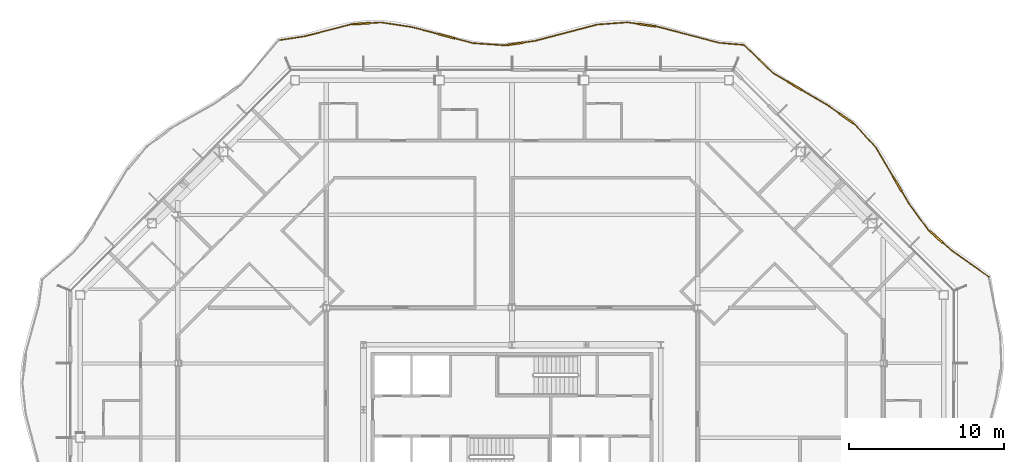
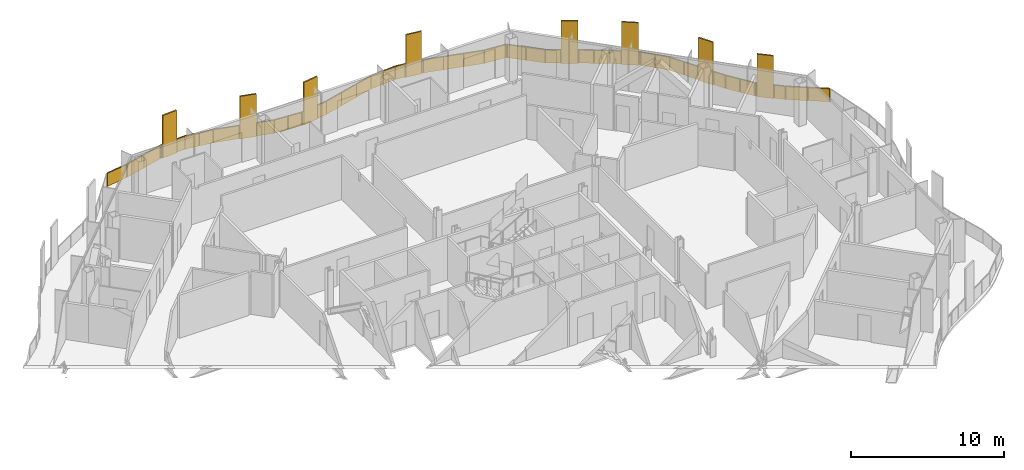
# One storey, part 21 of 21: 2 railings.
"""IFC4 building model written with IfcOpenShell, lengths in metres."""

from ifc_helpers import new_model, si_unit, direction, frame, origin, origin_2d, place, context, subcontext, project, spatial, polyline, rectangle, outline, extrude, material, type_object, element, save


model = new_model("IFC4")

# Units and contexts
model_context = context("Model", 3, precision=1e-05, world=origin(), true_north=direction((0.0, 1.0)))
body_context = subcontext(model_context, "Body", "Model", "MODEL_VIEW")
ifc_project = project(units=[si_unit("LENGTHUNIT", "METRE"), si_unit("AREAUNIT", "SQUARE_METRE"), si_unit("VOLUMEUNIT", "CUBIC_METRE"), si_unit("PLANEANGLEUNIT", "RADIAN"), si_unit("MASSUNIT", "GRAM", prefix="KILO")], contexts=[model_context])

# Site, building, storey
site_placement = place(None, origin())
site = spatial("IfcSite", under=ifc_project, at=site_placement, CompositionType="ELEMENT")
building_placement = place(site_placement, origin())
building = spatial("IfcBuilding", under=site, at=building_placement, Name="Cairn Pilgrim Tower", CompositionType="ELEMENT")
storey_placement = place(building_placement, frame((0.0, 0.0, 168.60009765625)))
storey = spatial("IfcBuildingStorey", under=building, at=storey_placement, Name="L42", CompositionType="ELEMENT", Elevation=168.60009765625)

# Railings
ifc_material = material(Name="Bronze anodised aluminium rail, posts and fin screens with laminated glass infill", Category="aluminium")
railing_type = type_object("IfcRailingType", Name="BALCONY GUARD WITH FIN SCREENS", PredefinedType="GUARDRAIL", material=ifc_material)
railing_1_placement = place(storey_placement, frame((38.007080078125, 15.199951171875, 0.0)))
element("IfcRailing", 1, at=railing_1_placement, inside=storey, type_object=railing_type, Name="Balcony guard BGF-4 with fin screens", PredefinedType="GUARDRAIL", context=body_context, shape_type="SweptSolid", body=[
    extrude(rectangle(XDim=0.050048828125, YDim=0.050048828125, at=origin_2d()), frame((0.0, 0.0, 1.0751953125), z_axis=(-0.816126546783, 0.577873221075, 0.0), x_axis=(-0.577873221075, -0.816126546783, 0.0)), (0.0, 0.0, 1.0), 2.914306640625),
    extrude(rectangle(XDim=1.10009765625, YDim=0.110107421875, at=origin_2d()), frame((-3.404052734375, 2.584716796875, 0.0), z_axis=(0.0, 0.0, 1.0), x_axis=(-0.751381601179, 0.659867933309, 0.0)), (0.0, 0.0, 1.0), 3.39990234375),
    extrude(rectangle(XDim=0.050048828125, YDim=0.050048828125, at=origin_2d()), frame((-2.37841796875, 1.68408203125, 1.0751953125), z_axis=(-0.751381601179, 0.659867933309, 0.0), x_axis=(-0.659867933309, -0.751381601179, 0.0)), (0.0, 0.0, 1.0), 0.81494140625),
    extrude(rectangle(XDim=0.050048828125, YDim=0.050048828125, at=origin_2d()), frame((-3.817138671875, 2.94775390625, 1.0751953125), z_axis=(-0.751381601179, 0.659867933309, 0.0), x_axis=(-0.659867933309, -0.751381601179, 0.0)), (0.0, 0.0, 1.0), 0.14990234375),
    extrude(rectangle(XDim=0.050048828125, YDim=0.050048828125, at=origin_2d()), frame((-3.929931640625, 3.046630859375, 1.0751953125), z_axis=(-0.590307215064, 0.807178661662, 0.0), x_axis=(-0.807178661662, -0.590307215064, 0.0)), (0.0, 0.0, 1.0), 2.0849609375),
    extrude(rectangle(XDim=1.10009765625, YDim=0.110107421875, at=origin_2d()), frame((-5.910888671875, 6.00341796875, 0.0), z_axis=(0.0, 0.0, 1.0), x_axis=(-0.50739866835, 0.861711431604, 0.0)), (0.0, 0.0, 1.0), 3.39990234375),
    extrude(rectangle(XDim=0.050048828125, YDim=0.050048828125, at=origin_2d()), frame((-5.16064453125, 4.7294921875, 1.0751953125), z_axis=(-0.50739866835, 0.861711431604, 0.0), x_axis=(-0.861711431604, -0.50739866835, 0.0)), (0.0, 0.0, 1.0), 0.928466796875),
    extrude(rectangle(XDim=0.050048828125, YDim=0.050048828125, at=origin_2d()), frame((-6.18994140625, 6.4775390625, 1.0751953125), z_axis=(-0.50739866835, 0.861711431604, 0.0), x_axis=(-0.861711431604, -0.50739866835, 0.0)), (0.0, 0.0, 1.0), 2.170654296875),
    extrude(rectangle(XDim=0.050048828125, YDim=0.050048828125, at=origin_2d()), frame((-7.291259765625, 8.347900390625, 1.0751953125), z_axis=(-0.671849079012, 0.740688068643, 0.0), x_axis=(-0.740688068643, -0.671849079012, 0.0)), (0.0, 0.0, 1.0), 2.00732421875),
    extrude(rectangle(XDim=1.10009765625, YDim=0.110107421875, at=origin_2d()), frame((-9.210205078125, 10.240478515625, 0.0), z_axis=(0.0, 0.0, 1.0), x_axis=(-0.814862491969, 0.579654310069, 0.0)), (0.0, 0.0, 1.0), 3.39990234375),
    extrude(rectangle(XDim=0.050048828125, YDim=0.050048828125, at=origin_2d()), frame((-8.639892578125, 9.834716796875, 1.0751953125), z_axis=(-0.814862491969, 0.579654310069, 0.0), x_axis=(-0.579654310069, -0.814862491969, 0.0)), (0.0, 0.0, 1.0), 0.14990234375),
    extrude(rectangle(XDim=0.050048828125, YDim=0.050048828125, at=origin_2d()), frame((-9.658447265625, 10.559326171875, 1.0751953125), z_axis=(-0.814862491969, 0.579654310069, 0.0), x_axis=(-0.579654310069, -0.814862491969, 0.0)), (0.0, 0.0, 1.0), 0.792724609375),
    extrude(rectangle(XDim=1.10009765625, YDim=0.110107421875, at=origin_2d()), frame((-12.558837890625, 12.35595703125, 0.0), z_axis=(0.0, 0.0, 1.0), x_axis=(-0.860093858428, 0.51013581985, 0.0)), (0.0, 0.0, 1.0), 3.39990234375),
    extrude(rectangle(XDim=0.050048828125, YDim=0.050048828125, at=origin_2d()), frame((-10.304443359375, 11.018798828125, 1.0751953125), z_axis=(-0.860093858428, 0.51013581985, 0.0), x_axis=(-0.51013581985, -0.860093858428, 0.0)), (0.0, 0.0, 1.0), 2.071044921875),
    extrude(rectangle(XDim=0.050048828125, YDim=0.050048828125, at=origin_2d()), frame((-13.03173828125, 12.636474609375, 1.0751953125), z_axis=(-0.860093858428, 0.51013581985, 0.0), x_axis=(-0.51013581985, -0.860093858428, 0.0)), (0.0, 0.0, 1.0), 1.04345703125),
    extrude(rectangle(XDim=0.050048828125, YDim=0.050048828125, at=origin_2d()), frame((-13.92919921875, 13.168701171875, 1.0751953125), z_axis=(-0.724381372371, 0.689399468641, 0.0), x_axis=(-0.689399468641, -0.724381372371, 0.0)), (0.0, 0.0, 1.0), 2.5751953125),
    extrude(rectangle(XDim=0.050048828125, YDim=0.050048828125, at=origin_2d()), origin(), (0.0, 0.0, 1.0), 1.050048828125),
    extrude(rectangle(XDim=0.050048828125, YDim=0.050048828125, at=origin_2d()), frame((-1.189208984375, 0.842041015625, 0.0)), (0.0, 0.0, 1.0), 1.050048828125),
    extrude(rectangle(XDim=0.050048828125, YDim=0.050048828125, at=origin_2d()), frame((-2.37841796875, 1.68408203125, 0.0)), (0.0, 0.0, 1.0), 1.050048828125),
    extrude(rectangle(XDim=0.050048828125, YDim=0.050048828125, at=origin_2d()), frame((-2.971923828125, 2.205322265625, 0.0)), (0.0, 0.0, 1.0), 1.050048828125),
    extrude(rectangle(XDim=0.050048828125, YDim=0.050048828125, at=origin_2d()), frame((-3.8359375, 2.964111328125, 0.0)), (0.0, 0.0, 1.0), 1.050048828125),
    extrude(rectangle(XDim=0.050048828125, YDim=0.050048828125, at=origin_2d()), frame((-3.929931640625, 3.046630859375, 0.0)), (0.0, 0.0, 1.0), 1.050048828125),
    extrude(rectangle(XDim=0.050048828125, YDim=0.050048828125, at=origin_2d()), frame((-4.54541015625, 3.88818359375, 0.0)), (0.0, 0.0, 1.0), 1.050048828125),
    extrude(rectangle(XDim=0.050048828125, YDim=0.050048828125, at=origin_2d()), frame((-5.16064453125, 4.7294921875, 0.0)), (0.0, 0.0, 1.0), 1.050048828125),
    extrude(rectangle(XDim=0.050048828125, YDim=0.050048828125, at=origin_2d()), frame((-5.619140625, 5.508056640625, 0.0)), (0.0, 0.0, 1.0), 1.050048828125),
    extrude(rectangle(XDim=0.050048828125, YDim=0.050048828125, at=origin_2d()), frame((-6.20263671875, 6.4990234375, 0.0)), (0.0, 0.0, 1.0), 1.050048828125),
    extrude(rectangle(XDim=0.050048828125, YDim=0.050048828125, at=origin_2d()), frame((-6.746826171875, 7.42333984375, 0.0)), (0.0, 0.0, 1.0), 1.050048828125),
    extrude(rectangle(XDim=0.050048828125, YDim=0.050048828125, at=origin_2d()), frame((-7.291259765625, 8.347900390625, 0.0)), (0.0, 0.0, 1.0), 1.050048828125),
    extrude(rectangle(XDim=0.050048828125, YDim=0.050048828125, at=origin_2d()), frame((-7.965576171875, 9.09130859375, 0.0)), (0.0, 0.0, 1.0), 1.050048828125),
    extrude(rectangle(XDim=0.050048828125, YDim=0.050048828125, at=origin_2d()), frame((-8.639892578125, 9.834716796875, 0.0)), (0.0, 0.0, 1.0), 1.050048828125),
    extrude(rectangle(XDim=0.050048828125, YDim=0.050048828125, at=origin_2d()), frame((-8.74169921875, 9.9072265625, 0.0)), (0.0, 0.0, 1.0), 1.050048828125),
    extrude(rectangle(XDim=0.050048828125, YDim=0.050048828125, at=origin_2d()), frame((-9.6787109375, 10.57373046875, 0.0)), (0.0, 0.0, 1.0), 1.050048828125),
    extrude(rectangle(XDim=0.050048828125, YDim=0.050048828125, at=origin_2d()), frame((-10.304443359375, 11.018798828125, 0.0)), (0.0, 0.0, 1.0), 1.050048828125),
    extrude(rectangle(XDim=0.050048828125, YDim=0.050048828125, at=origin_2d()), frame((-11.184326171875, 11.540771484375, 0.0)), (0.0, 0.0, 1.0), 1.050048828125),
    extrude(rectangle(XDim=0.050048828125, YDim=0.050048828125, at=origin_2d()), frame((-12.064208984375, 12.0625, 0.0)), (0.0, 0.0, 1.0), 1.050048828125),
    extrude(rectangle(XDim=0.050048828125, YDim=0.050048828125, at=origin_2d()), frame((-13.05322265625, 12.649169921875, 0.0)), (0.0, 0.0, 1.0), 1.050048828125),
    extrude(rectangle(XDim=0.050048828125, YDim=0.050048828125, at=origin_2d()), frame((-13.92919921875, 13.168701171875, 0.0)), (0.0, 0.0, 1.0), 1.050048828125),
    extrude(rectangle(XDim=0.050048828125, YDim=0.050048828125, at=origin_2d()), frame((-14.86181640625, 14.056396484375, 0.0)), (0.0, 0.0, 1.0), 1.050048828125),
    extrude(rectangle(XDim=0.050048828125, YDim=0.050048828125, at=origin_2d()), frame((-15.794677734375, 14.944091796875, 0.0)), (0.0, 0.0, 1.0), 1.050048828125),
    extrude(outline(polyline([(0.02490234375, 0.0), (1.43212890625, 0.0), (1.43212890625, 1.050048828125), (0.02490234375, 1.050048828125), (0.02490234375, 0.0)])), frame((-0.00341796875, -0.0048828125, 0.0), z_axis=(0.577873221075, 0.816126546783, 0.0), x_axis=(-0.816126546783, 0.577873221075, 0.0)), (0.0, 0.0, 1.0), 0.011962890625),
    extrude(outline(polyline([(0.02490234375, 0.0), (1.43212890625, 0.0), (1.43212890625, 1.050048828125), (0.02490234375, 1.050048828125), (0.02490234375, 0.0)])), frame((-1.192626953125, 0.837158203125, 0.0), z_axis=(0.577873221075, 0.816126546783, 0.0), x_axis=(-0.816126546783, 0.577873221075, 0.0)), (0.0, 0.0, 1.0), 0.011962890625),
    extrude(outline(polyline([(0.02490234375, 0.0), (0.764892578125, 0.0), (0.764892578125, 1.050048828125), (0.02490234375, 1.050048828125), (0.02490234375, 0.0)])), frame((-2.38232421875, 1.6796875, 0.0), z_axis=(0.659867933309, 0.751381601179, 0.0), x_axis=(-0.751381601179, 0.659867933309, 0.0)), (0.0, 0.0, 1.0), 0.011962890625),
    extrude(outline(polyline([(0.02490234375, 0.0), (0.099853515625, 0.0), (0.099853515625, 1.050048828125), (0.02490234375, 1.050048828125), (0.02490234375, 0.0)])), frame((-3.840087890625, 2.959716796875, 0.0), z_axis=(0.659867933309, 0.751381601179, 0.0), x_axis=(-0.751381601179, 0.659867933309, 0.0)), (0.0, 0.0, 1.0), 0.011962890625),
    extrude(outline(polyline([(0.02490234375, 0.0), (1.017333984375, 0.0), (1.017333984375, 1.050048828125), (0.02490234375, 1.050048828125), (0.02490234375, 0.0)])), frame((-3.934814453125, 3.043212890625, 0.0), z_axis=(0.807178661662, 0.590307215064, 0.0), x_axis=(-0.590307215064, 0.807178661662, 0.0)), (0.0, 0.0, 1.0), 0.011962890625),
    extrude(outline(polyline([(0.02490234375, 0.0), (1.017333984375, 0.0), (1.017333984375, 1.050048828125), (0.02490234375, 1.050048828125), (0.02490234375, 0.0)])), frame((-4.550048828125, 3.884521484375, 0.0), z_axis=(0.807178661662, 0.590307215064, 0.0), x_axis=(-0.590307215064, 0.807178661662, 0.0)), (0.0, 0.0, 1.0), 0.011962890625),
    extrude(outline(polyline([(0.02490234375, 0.0), (0.87841796875, 0.0), (0.87841796875, 1.050048828125), (0.02490234375, 1.050048828125), (0.02490234375, 0.0)])), frame((-5.165771484375, 4.7265625, 0.0), z_axis=(0.861711431604, 0.50739866835, 0.0), x_axis=(-0.50739866835, 0.861711431604, 0.0)), (0.0, 0.0, 1.0), 0.011962890625),
    extrude(outline(polyline([(0.02490234375, 0.0), (1.0478515625, 0.0), (1.0478515625, 1.050048828125), (0.02490234375, 1.050048828125), (0.02490234375, 0.0)])), frame((-6.207763671875, 6.49609375, 0.0), z_axis=(0.861711431604, 0.50739866835, 0.0), x_axis=(-0.50739866835, 0.861711431604, 0.0)), (0.0, 0.0, 1.0), 0.011962890625),
    extrude(outline(polyline([(0.02490234375, 0.0), (1.0478515625, 0.0), (1.0478515625, 1.050048828125), (0.02490234375, 1.050048828125), (0.02490234375, 0.0)])), frame((-6.752197265625, 7.42041015625, 0.0), z_axis=(0.861711431604, 0.50739866835, 0.0), x_axis=(-0.50739866835, 0.861711431604, 0.0)), (0.0, 0.0, 1.0), 0.011962890625),
    extrude(outline(polyline([(0.02490234375, 0.0), (0.978759765625, 0.0), (0.978759765625, 1.050048828125), (0.02490234375, 1.050048828125), (0.02490234375, 0.0)])), frame((-7.295654296875, 8.343994140625, 0.0), z_axis=(0.740688068643, 0.671849079012, 0.0), x_axis=(-0.671849079012, 0.740688068643, 0.0)), (0.0, 0.0, 1.0), 0.011962890625),
    extrude(outline(polyline([(0.02490234375, 0.0), (0.978759765625, 0.0), (0.978759765625, 1.050048828125), (0.02490234375, 1.050048828125), (0.02490234375, 0.0)])), frame((-7.969970703125, 9.08740234375, 0.0), z_axis=(0.740688068643, 0.671849079012, 0.0), x_axis=(-0.671849079012, 0.740688068643, 0.0)), (0.0, 0.0, 1.0), 0.011962890625),
    extrude(outline(polyline([(0.02490234375, 0.0), (0.099853515625, 0.0), (0.099853515625, 1.050048828125), (0.02490234375, 1.050048828125), (0.02490234375, 0.0)])), frame((-8.643310546875, 9.829833984375, 0.0), z_axis=(0.579654310069, 0.814862491969, 0.0), x_axis=(-0.814862491969, 0.579654310069, 0.0)), (0.0, 0.0, 1.0), 0.011962890625),
    extrude(outline(polyline([(0.02490234375, 0.0), (0.74267578125, 0.0), (0.74267578125, 1.050048828125), (0.02490234375, 1.050048828125), (0.02490234375, 0.0)])), frame((-9.682373046875, 10.56884765625, 0.0), z_axis=(0.579654310069, 0.814862491969, 0.0), x_axis=(-0.814862491969, 0.579654310069, 0.0)), (0.0, 0.0, 1.0), 0.011962890625),
    extrude(outline(polyline([(0.02490234375, 0.0), (0.998046875, 0.0), (0.998046875, 1.050048828125), (0.02490234375, 1.050048828125), (0.02490234375, 0.0)])), frame((-10.307373046875, 11.013671875, 0.0), z_axis=(0.51013581985, 0.860093858428, 0.0), x_axis=(-0.860093858428, 0.51013581985, 0.0)), (0.0, 0.0, 1.0), 0.011962890625),
    extrude(outline(polyline([(0.02490234375, 0.0), (0.998046875, 0.0), (0.998046875, 1.050048828125), (0.02490234375, 1.050048828125), (0.02490234375, 0.0)])), frame((-11.187255859375, 11.535400390625, 0.0), z_axis=(0.51013581985, 0.860093858428, 0.0), x_axis=(-0.860093858428, 0.51013581985, 0.0)), (0.0, 0.0, 1.0), 0.011962890625),
    extrude(outline(polyline([(0.02490234375, 0.0), (0.993408203125, 0.0), (0.993408203125, 1.050048828125), (0.02490234375, 1.050048828125), (0.02490234375, 0.0)])), frame((-13.056396484375, 12.64404296875, 0.0), z_axis=(0.51013581985, 0.860093858428, 0.0), x_axis=(-0.860093858428, 0.51013581985, 0.0)), (0.0, 0.0, 1.0), 0.011962890625),
    extrude(outline(polyline([(0.02490234375, 0.0), (1.2626953125, 0.0), (1.2626953125, 1.050048828125), (0.02490234375, 1.050048828125), (0.02490234375, 0.0)])), frame((-13.933349609375, 13.164306640625, 0.0), z_axis=(0.689399468641, 0.724381372371, 0.0), x_axis=(-0.724381372371, 0.689399468641, 0.0)), (0.0, 0.0, 1.0), 0.011962890625),
    extrude(outline(polyline([(0.02490234375, 0.0), (1.2626953125, 0.0), (1.2626953125, 1.050048828125), (0.02490234375, 1.050048828125), (0.02490234375, 0.0)])), frame((-14.865966796875, 14.052001953125, 0.0), z_axis=(0.689399468641, 0.724381372371, 0.0), x_axis=(-0.724381372371, 0.689399468641, 0.0)), (0.0, 0.0, 1.0), 0.011962890625),
])
railing_2_placement = place(storey_placement, frame((22.1689453125, 30.185302734375, 0.0)))
element("IfcRailing", 2, at=railing_2_placement, inside=storey, type_object=railing_type, Name="Balcony guard BGF-5 with fin screens", PredefinedType="GUARDRAIL", context=body_context, shape_type="SweptSolid", body=[
    extrude(rectangle(XDim=0.050048828125, YDim=0.050048828125, at=origin_2d()), frame((0.0, 0.0, 1.0751953125), z_axis=(-0.996595254625, 0.082449369059, 0.0), x_axis=(-0.082449369059, -0.996595254625, 0.0)), (0.0, 0.0, 1.0), 1.593017578125),
    extrude(rectangle(XDim=0.050048828125, YDim=0.050048828125, at=origin_2d()), frame((-1.587646484375, 0.13134765625, 1.0751953125), z_axis=(-0.966903612794, 0.255141928278, 0.0), x_axis=(-0.255141928278, -0.966903612794, 0.0)), (0.0, 0.0, 1.0), 4.11279296875),
    extrude(rectangle(XDim=1.10009765625, YDim=0.110107421875, at=origin_2d()), frame((-6.257080078125, 1.278564453125, 0.0), z_axis=(0.0, 0.0, 1.0), x_axis=(-0.99015060445, 0.140006358807, 0.0)), (0.0, 0.0, 1.0), 3.39990234375),
    extrude(rectangle(XDim=0.050048828125, YDim=0.050048828125, at=origin_2d()), frame((-5.564208984375, 1.1806640625, 1.0751953125), z_axis=(-0.99015060445, 0.140006358807, 0.0), x_axis=(-0.140006358807, -0.99015060445, 0.0)), (0.0, 0.0, 1.0), 0.14990234375),
    extrude(rectangle(XDim=0.050048828125, YDim=0.050048828125, at=origin_2d()), frame((-6.8017578125, 1.355712890625, 1.0751953125), z_axis=(-0.99015060445, 0.140006358807, 0.0), x_axis=(-0.140006358807, -0.99015060445, 0.0)), (0.0, 0.0, 1.0), 0.731201171875),
    extrude(rectangle(XDim=0.050048828125, YDim=0.050048828125, at=origin_2d()), frame((-7.525634765625, 1.4580078125, 1.0751953125), z_axis=(-0.997189788509, -0.074916791799, 0.0), x_axis=(0.074916791799, -0.997189788509, 0.0)), (0.0, 0.0, 1.0), 1.9619140625),
    extrude(rectangle(XDim=0.050048828125, YDim=0.050048828125, at=origin_2d()), frame((-9.48193359375, 1.31103515625, 1.0751953125), z_axis=(-0.967093806985, -0.254420063068, 0.0), x_axis=(0.254420063068, -0.967093806985, 0.0)), (0.0, 0.0, 1.0), 4.102294921875),
    extrude(rectangle(XDim=1.10009765625, YDim=0.110107421875, at=origin_2d()), frame((-14.76708984375, 0.07373046875, 0.0), z_axis=(0.0, 0.0, 1.0), x_axis=(-0.989376930677, -0.145372930919, 0.0)), (0.0, 0.0, 1.0), 3.39990234375),
    extrude(rectangle(XDim=0.050048828125, YDim=0.050048828125, at=origin_2d()), frame((-13.44921875, 0.267333984375, 1.0751953125), z_axis=(-0.989376930677, -0.145372930919, 0.0), x_axis=(0.145372930919, -0.989376930677, 0.0)), (0.0, 0.0, 1.0), 0.781982421875),
    extrude(rectangle(XDim=0.050048828125, YDim=0.050048828125, at=origin_2d()), frame((-15.311279296875, -0.00634765625, 1.0751953125), z_axis=(-0.989376930677, -0.145372930919, 0.0), x_axis=(0.145372930919, -0.989376930677, 0.0)), (0.0, 0.0, 1.0), 0.150146484375),
    extrude(rectangle(XDim=0.050048828125, YDim=0.050048828125, at=origin_2d()), frame((-15.459716796875, -0.028076171875, 1.0751953125), z_axis=(-0.997618592147, 0.068972056679, 0.0), x_axis=(-0.068972056679, -0.997618592147, 0.0)), (0.0, 0.0, 1.0), 2.021240234375),
    extrude(rectangle(XDim=1.10009765625, YDim=0.110107421875, at=origin_2d()), frame((-19.192626953125, 0.5615234375, 0.0), z_axis=(0.0, 0.0, 1.0), x_axis=(-0.967284877826, 0.253692658801, 0.0)), (0.0, 0.0, 1.0), 3.39990234375),
    extrude(rectangle(XDim=0.050048828125, YDim=0.050048828125, at=origin_2d()), frame((-17.47607421875, 0.111328125, 1.0751953125), z_axis=(-0.967284877826, 0.253692658801, 0.0), x_axis=(-0.253692658801, -0.967284877826, 0.0)), (0.0, 0.0, 1.0), 1.224609375),
    extrude(rectangle(XDim=0.050048828125, YDim=0.050048828125, at=origin_2d()), frame((-19.724609375, 0.701171875, 1.0751953125), z_axis=(-0.967284877826, 0.253692658801, 0.0), x_axis=(-0.253692658801, -0.967284877826, 0.0)), (0.0, 0.0, 1.0), 1.788330078125),
    extrude(rectangle(XDim=0.050048828125, YDim=0.050048828125, at=origin_2d()), frame((-21.45458984375, 1.15478515625, 1.0751953125), z_axis=(-0.988622018476, 0.150421090893, 0.0), x_axis=(-0.150421090893, -0.988622018476, 0.0)), (0.0, 0.0, 1.0), 1.985107421875),
    extrude(rectangle(XDim=1.10009765625, YDim=0.110107421875, at=origin_2d()), frame((-24.674072265625, 1.3740234375, 0.0), z_axis=(0.0, 0.0, 1.0), x_axis=(-0.998018987165, -0.062913442581, 0.0)), (0.0, 0.0, 1.0), 3.39990234375),
    extrude(rectangle(XDim=0.050048828125, YDim=0.050048828125, at=origin_2d()), frame((-23.4169921875, 1.453369140625, 1.0751953125), z_axis=(-0.998018987165, -0.062913442581, 0.0), x_axis=(0.062913442581, -0.998018987165, 0.0)), (0.0, 0.0, 1.0), 0.709716796875),
    extrude(rectangle(XDim=0.050048828125, YDim=0.050048828125, at=origin_2d()), frame((-25.222900390625, 1.339599609375, 1.0751953125), z_axis=(-0.998018987165, -0.062913442581, 0.0), x_axis=(0.062913442581, -0.998018987165, 0.0)), (0.0, 0.0, 1.0), 0.150146484375),
    extrude(rectangle(XDim=0.050048828125, YDim=0.050048828125, at=origin_2d()), frame((-25.372802734375, 1.330078125, 1.0751953125), z_axis=(-0.96811267779, -0.250515155434, 0.0), x_axis=(0.250515155434, -0.96811267779, 0.0)), (0.0, 0.0, 1.0), 3.07080078125),
    extrude(rectangle(XDim=0.050048828125, YDim=0.050048828125, at=origin_2d()), frame((-28.345703125, 0.560791015625, 1.0751953125), z_axis=(-0.988546026503, -0.150919692169, 0.0), x_axis=(0.150919692169, -0.988546026503, 0.0)), (0.0, 0.0, 1.0), 1.661376953125),
    extrude(rectangle(XDim=0.050048828125, YDim=0.050048828125, at=origin_2d()), origin(), (0.0, 0.0, 1.0), 1.050048828125),
    extrude(rectangle(XDim=0.050048828125, YDim=0.050048828125, at=origin_2d()), frame((-1.587646484375, 0.13134765625, 0.0)), (0.0, 0.0, 1.0), 1.050048828125),
    extrude(rectangle(XDim=0.050048828125, YDim=0.050048828125, at=origin_2d()), frame((-2.9130859375, 0.481201171875, 0.0)), (0.0, 0.0, 1.0), 1.050048828125),
    extrude(rectangle(XDim=0.050048828125, YDim=0.050048828125, at=origin_2d()), frame((-4.23876953125, 0.830810546875, 0.0)), (0.0, 0.0, 1.0), 1.050048828125),
    extrude(rectangle(XDim=0.050048828125, YDim=0.050048828125, at=origin_2d()), frame((-5.564208984375, 1.1806640625, 0.0)), (0.0, 0.0, 1.0), 1.050048828125),
    extrude(rectangle(XDim=0.050048828125, YDim=0.050048828125, at=origin_2d()), frame((-5.687744140625, 1.1982421875, 0.0)), (0.0, 0.0, 1.0), 1.050048828125),
    extrude(rectangle(XDim=0.050048828125, YDim=0.050048828125, at=origin_2d()), frame((-6.826416015625, 1.359130859375, 0.0)), (0.0, 0.0, 1.0), 1.050048828125),
    extrude(rectangle(XDim=0.050048828125, YDim=0.050048828125, at=origin_2d()), frame((-7.525634765625, 1.4580078125, 0.0)), (0.0, 0.0, 1.0), 1.050048828125),
    extrude(rectangle(XDim=0.050048828125, YDim=0.050048828125, at=origin_2d()), frame((-8.50390625, 1.384521484375, 0.0)), (0.0, 0.0, 1.0), 1.050048828125),
    extrude(rectangle(XDim=0.050048828125, YDim=0.050048828125, at=origin_2d()), frame((-9.48193359375, 1.31103515625, 0.0)), (0.0, 0.0, 1.0), 1.050048828125),
    extrude(rectangle(XDim=0.050048828125, YDim=0.050048828125, at=origin_2d()), frame((-10.804443359375, 0.963134765625, 0.0)), (0.0, 0.0, 1.0), 1.050048828125),
    extrude(rectangle(XDim=0.050048828125, YDim=0.050048828125, at=origin_2d()), frame((-12.126708984375, 0.615234375, 0.0)), (0.0, 0.0, 1.0), 1.050048828125),
    extrude(rectangle(XDim=0.050048828125, YDim=0.050048828125, at=origin_2d()), frame((-13.44921875, 0.267333984375, 0.0)), (0.0, 0.0, 1.0), 1.050048828125),
    extrude(rectangle(XDim=0.050048828125, YDim=0.050048828125, at=origin_2d()), frame((-14.1982421875, 0.1572265625, 0.0)), (0.0, 0.0, 1.0), 1.050048828125),
    extrude(rectangle(XDim=0.050048828125, YDim=0.050048828125, at=origin_2d()), frame((-15.3359375, -0.010009765625, 0.0)), (0.0, 0.0, 1.0), 1.050048828125),
    extrude(rectangle(XDim=0.050048828125, YDim=0.050048828125, at=origin_2d()), frame((-15.459716796875, -0.028076171875, 0.0)), (0.0, 0.0, 1.0), 1.050048828125),
    extrude(rectangle(XDim=0.050048828125, YDim=0.050048828125, at=origin_2d()), frame((-16.4677734375, 0.04150390625, 0.0)), (0.0, 0.0, 1.0), 1.050048828125),
    extrude(rectangle(XDim=0.050048828125, YDim=0.050048828125, at=origin_2d()), frame((-17.47607421875, 0.111328125, 0.0)), (0.0, 0.0, 1.0), 1.050048828125),
    extrude(rectangle(XDim=0.050048828125, YDim=0.050048828125, at=origin_2d()), frame((-18.636474609375, 0.415771484375, 0.0)), (0.0, 0.0, 1.0), 1.050048828125),
    extrude(rectangle(XDim=0.050048828125, YDim=0.050048828125, at=origin_2d()), frame((-19.748779296875, 0.70751953125, 0.0)), (0.0, 0.0, 1.0), 1.050048828125),
    extrude(rectangle(XDim=0.050048828125, YDim=0.050048828125, at=origin_2d()), frame((-21.45458984375, 1.15478515625, 0.0)), (0.0, 0.0, 1.0), 1.050048828125),
    extrude(rectangle(XDim=0.050048828125, YDim=0.050048828125, at=origin_2d()), frame((-22.435791015625, 1.30419921875, 0.0)), (0.0, 0.0, 1.0), 1.050048828125),
    extrude(rectangle(XDim=0.050048828125, YDim=0.050048828125, at=origin_2d()), frame((-23.4169921875, 1.453369140625, 0.0)), (0.0, 0.0, 1.0), 1.050048828125),
    extrude(rectangle(XDim=0.050048828125, YDim=0.050048828125, at=origin_2d()), frame((-24.100341796875, 1.410400390625, 0.0)), (0.0, 0.0, 1.0), 1.050048828125),
    extrude(rectangle(XDim=0.050048828125, YDim=0.050048828125, at=origin_2d()), frame((-25.248046875, 1.337890625, 0.0)), (0.0, 0.0, 1.0), 1.050048828125),
    extrude(rectangle(XDim=0.050048828125, YDim=0.050048828125, at=origin_2d()), frame((-25.372802734375, 1.330078125, 0.0)), (0.0, 0.0, 1.0), 1.050048828125),
    extrude(rectangle(XDim=0.050048828125, YDim=0.050048828125, at=origin_2d()), frame((-26.859375, 0.9453125, 0.0)), (0.0, 0.0, 1.0), 1.050048828125),
    extrude(rectangle(XDim=0.050048828125, YDim=0.050048828125, at=origin_2d()), frame((-28.345703125, 0.560791015625, 0.0)), (0.0, 0.0, 1.0), 1.050048828125),
    extrude(rectangle(XDim=0.050048828125, YDim=0.050048828125, at=origin_2d()), frame((-29.988037109375, 0.31005859375, 0.0)), (0.0, 0.0, 1.0), 1.050048828125),
    extrude(outline(polyline([(0.02490234375, 0.0), (1.568115234375, 0.0), (1.568115234375, 1.050048828125), (0.02490234375, 1.050048828125), (0.02490234375, 0.0)])), frame((-0.00048828125, -0.005859375, 0.0), z_axis=(0.082449369059, 0.996595254625, 0.0), x_axis=(-0.996595254625, 0.082449369059, 0.0)), (0.0, 0.0, 1.0), 0.011962890625),
    extrude(outline(polyline([(0.02490234375, 0.0), (1.345947265625, 0.0), (1.345947265625, 1.050048828125), (0.02490234375, 1.050048828125), (0.02490234375, 0.0)])), frame((-1.589111328125, 0.12548828125, 0.0), z_axis=(0.255141928278, 0.966903612794, 0.0), x_axis=(-0.966903612794, 0.255141928278, 0.0)), (0.0, 0.0, 1.0), 0.011962890625),
    extrude(outline(polyline([(0.02490234375, 0.0), (1.345947265625, 0.0), (1.345947265625, 1.050048828125), (0.02490234375, 1.050048828125), (0.02490234375, 0.0)])), frame((-2.914794921875, 0.475341796875, 0.0), z_axis=(0.255141928278, 0.966903612794, 0.0), x_axis=(-0.966903612794, 0.255141928278, 0.0)), (0.0, 0.0, 1.0), 0.011962890625),
    extrude(outline(polyline([(0.02490234375, 0.0), (1.345947265625, 0.0), (1.345947265625, 1.050048828125), (0.02490234375, 1.050048828125), (0.02490234375, 0.0)])), frame((-4.240234375, 0.8251953125, 0.0), z_axis=(0.255141928278, 0.966903612794, 0.0), x_axis=(-0.966903612794, 0.255141928278, 0.0)), (0.0, 0.0, 1.0), 0.011962890625),
    extrude(outline(polyline([(0.02490234375, 0.0), (0.099853515625, 0.0), (0.099853515625, 1.050048828125), (0.02490234375, 1.050048828125), (0.02490234375, 0.0)])), frame((-5.56494140625, 1.1748046875, 0.0), z_axis=(0.140006358807, 0.99015060445, 0.0), x_axis=(-0.99015060445, 0.140006358807, 0.0)), (0.0, 0.0, 1.0), 0.011962890625),
    extrude(outline(polyline([(0.02490234375, 0.0), (0.68115234375, 0.0), (0.68115234375, 1.050048828125), (0.02490234375, 1.050048828125), (0.02490234375, 0.0)])), frame((-6.827392578125, 1.353271484375, 0.0), z_axis=(0.140006358807, 0.99015060445, 0.0), x_axis=(-0.99015060445, 0.140006358807, 0.0)), (0.0, 0.0, 1.0), 0.011962890625),
    extrude(outline(polyline([(0.02490234375, 0.0), (0.955810546875, 0.0), (0.955810546875, 1.050048828125), (0.02490234375, 1.050048828125), (0.02490234375, 0.0)])), frame((-7.525146484375, 1.4521484375, 0.0), z_axis=(-0.074916791799, 0.997189788509, 0.0), x_axis=(-0.997189788509, -0.074916791799, 0.0)), (0.0, 0.0, 1.0), 0.011962890625),
    extrude(outline(polyline([(0.02490234375, 0.0), (0.955810546875, 0.0), (0.955810546875, 1.050048828125), (0.02490234375, 1.050048828125), (0.02490234375, 0.0)])), frame((-8.50341796875, 1.378662109375, 0.0), z_axis=(-0.074916791799, 0.997189788509, 0.0), x_axis=(-0.997189788509, -0.074916791799, 0.0)), (0.0, 0.0, 1.0), 0.011962890625),
    extrude(outline(polyline([(0.02490234375, 0.0), (1.34228515625, 0.0), (1.34228515625, 1.050048828125), (0.02490234375, 1.050048828125), (0.02490234375, 0.0)])), frame((-9.48046875, 1.30517578125, 0.0), z_axis=(-0.254420063068, 0.967093806985, 0.0), x_axis=(-0.967093806985, -0.254420063068, 0.0)), (0.0, 0.0, 1.0), 0.011962890625),
    extrude(outline(polyline([(0.02490234375, 0.0), (1.34228515625, 0.0), (1.34228515625, 1.050048828125), (0.02490234375, 1.050048828125), (0.02490234375, 0.0)])), frame((-10.802734375, 0.957275390625, 0.0), z_axis=(-0.254420063068, 0.967093806985, 0.0), x_axis=(-0.967093806985, -0.254420063068, 0.0)), (0.0, 0.0, 1.0), 0.011962890625),
    extrude(outline(polyline([(0.02490234375, 0.0), (1.34228515625, 0.0), (1.34228515625, 1.050048828125), (0.02490234375, 1.050048828125), (0.02490234375, 0.0)])), frame((-12.125244140625, 0.609375, 0.0), z_axis=(-0.254420063068, 0.967093806985, 0.0), x_axis=(-0.967093806985, -0.254420063068, 0.0)), (0.0, 0.0, 1.0), 0.011962890625),
    extrude(outline(polyline([(0.02490234375, 0.0), (0.73193359375, 0.0), (0.73193359375, 1.050048828125), (0.02490234375, 1.050048828125), (0.02490234375, 0.0)])), frame((-13.4482421875, 0.261474609375, 0.0), z_axis=(-0.145372930919, 0.989376930677, 0.0), x_axis=(-0.989376930677, -0.145372930919, 0.0)), (0.0, 0.0, 1.0), 0.011962890625),
    extrude(outline(polyline([(0.02490234375, 0.0), (0.10009765625, 0.0), (0.10009765625, 1.050048828125), (0.02490234375, 1.050048828125), (0.02490234375, 0.0)])), frame((-15.335205078125, -0.015869140625, 0.0), z_axis=(-0.145372930919, 0.989376930677, 0.0), x_axis=(-0.989376930677, -0.145372930919, 0.0)), (0.0, 0.0, 1.0), 0.011962890625),
    extrude(outline(polyline([(0.02490234375, 0.0), (0.985595703125, 0.0), (0.985595703125, 1.050048828125), (0.02490234375, 1.050048828125), (0.02490234375, 0.0)])), frame((-15.460205078125, -0.033935546875, 0.0), z_axis=(0.068972056679, 0.997618592147, 0.0), x_axis=(-0.997618592147, 0.068972056679, 0.0)), (0.0, 0.0, 1.0), 0.011962890625),
    extrude(outline(polyline([(0.02490234375, 0.0), (0.985595703125, 0.0), (0.985595703125, 1.050048828125), (0.02490234375, 1.050048828125), (0.02490234375, 0.0)])), frame((-16.46826171875, 0.03564453125, 0.0), z_axis=(0.068972056679, 0.997618592147, 0.0), x_axis=(-0.997618592147, 0.068972056679, 0.0)), (0.0, 0.0, 1.0), 0.011962890625),
    extrude(outline(polyline([(0.02490234375, 0.0), (1.174560546875, 0.0), (1.174560546875, 1.050048828125), (0.02490234375, 1.050048828125), (0.02490234375, 0.0)])), frame((-17.4775390625, 0.10546875, 0.0), z_axis=(0.253692658801, 0.967284877826, 0.0), x_axis=(-0.967284877826, 0.253692658801, 0.0)), (0.0, 0.0, 1.0), 0.011962890625),
    extrude(outline(polyline([(0.02490234375, 0.0), (1.73828125, 0.0), (1.73828125, 1.050048828125), (0.02490234375, 1.050048828125), (0.02490234375, 0.0)])), frame((-19.75048828125, 0.70166015625, 0.0), z_axis=(0.253692658801, 0.967284877826, 0.0), x_axis=(-0.967284877826, 0.253692658801, 0.0)), (0.0, 0.0, 1.0), 0.011962890625),
    extrude(outline(polyline([(0.02490234375, 0.0), (0.967529296875, 0.0), (0.967529296875, 1.050048828125), (0.02490234375, 1.050048828125), (0.02490234375, 0.0)])), frame((-21.45556640625, 1.14892578125, 0.0), z_axis=(0.150421090893, 0.988622018476, 0.0), x_axis=(-0.988622018476, 0.150421090893, 0.0)), (0.0, 0.0, 1.0), 0.011962890625),
    extrude(outline(polyline([(0.02490234375, 0.0), (0.967529296875, 0.0), (0.967529296875, 1.050048828125), (0.02490234375, 1.050048828125), (0.02490234375, 0.0)])), frame((-22.436767578125, 1.298095703125, 0.0), z_axis=(0.150421090893, 0.988622018476, 0.0), x_axis=(-0.988622018476, 0.150421090893, 0.0)), (0.0, 0.0, 1.0), 0.011962890625),
    extrude(outline(polyline([(0.02490234375, 0.0), (0.65966796875, 0.0), (0.65966796875, 1.050048828125), (0.02490234375, 1.050048828125), (0.02490234375, 0.0)])), frame((-23.41650390625, 1.447509765625, 0.0), z_axis=(-0.062913442581, 0.998018987165, 0.0), x_axis=(-0.998018987165, -0.062913442581, 0.0)), (0.0, 0.0, 1.0), 0.011962890625),
    extrude(outline(polyline([(0.02490234375, 0.0), (0.10009765625, 0.0), (0.10009765625, 1.050048828125), (0.02490234375, 1.050048828125), (0.02490234375, 0.0)])), frame((-25.24755859375, 1.33203125, 0.0), z_axis=(-0.062913442581, 0.998018987165, 0.0), x_axis=(-0.998018987165, -0.062913442581, 0.0)), (0.0, 0.0, 1.0), 0.011962890625),
    extrude(outline(polyline([(0.02490234375, 0.0), (1.510498046875, 0.0), (1.510498046875, 1.050048828125), (0.02490234375, 1.050048828125), (0.02490234375, 0.0)])), frame((-25.371337890625, 1.32421875, 0.0), z_axis=(-0.250515155434, 0.96811267779, 0.0), x_axis=(-0.96811267779, -0.250515155434, 0.0)), (0.0, 0.0, 1.0), 0.011962890625),
    extrude(outline(polyline([(0.02490234375, 0.0), (1.510498046875, 0.0), (1.510498046875, 1.050048828125), (0.02490234375, 1.050048828125), (0.02490234375, 0.0)])), frame((-26.857666015625, 0.939697265625, 0.0), z_axis=(-0.250515155434, 0.96811267779, 0.0), x_axis=(-0.96811267779, -0.250515155434, 0.0)), (0.0, 0.0, 1.0), 0.011962890625),
    extrude(outline(polyline([(0.02490234375, 0.0), (1.63623046875, 0.0), (1.63623046875, 1.050048828125), (0.02490234375, 1.050048828125), (0.02490234375, 0.0)])), frame((-28.3447265625, 0.554931640625, 0.0), z_axis=(-0.150919692169, 0.988546026503, 0.0), x_axis=(-0.988546026503, -0.150919692169, 0.0)), (0.0, 0.0, 1.0), 0.011962890625),
])

save(model, "model.ifc")
